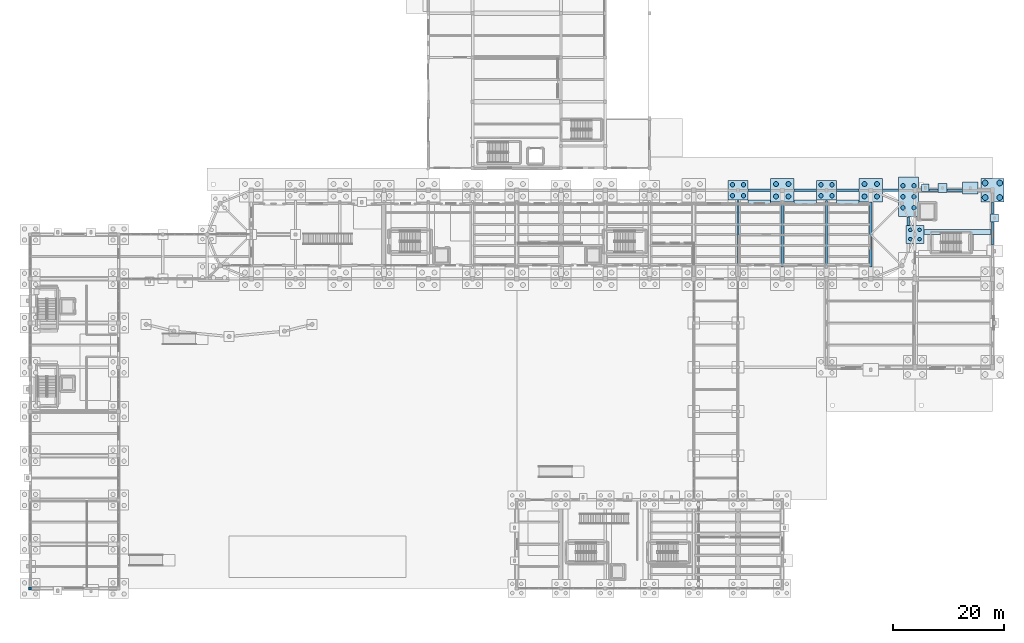
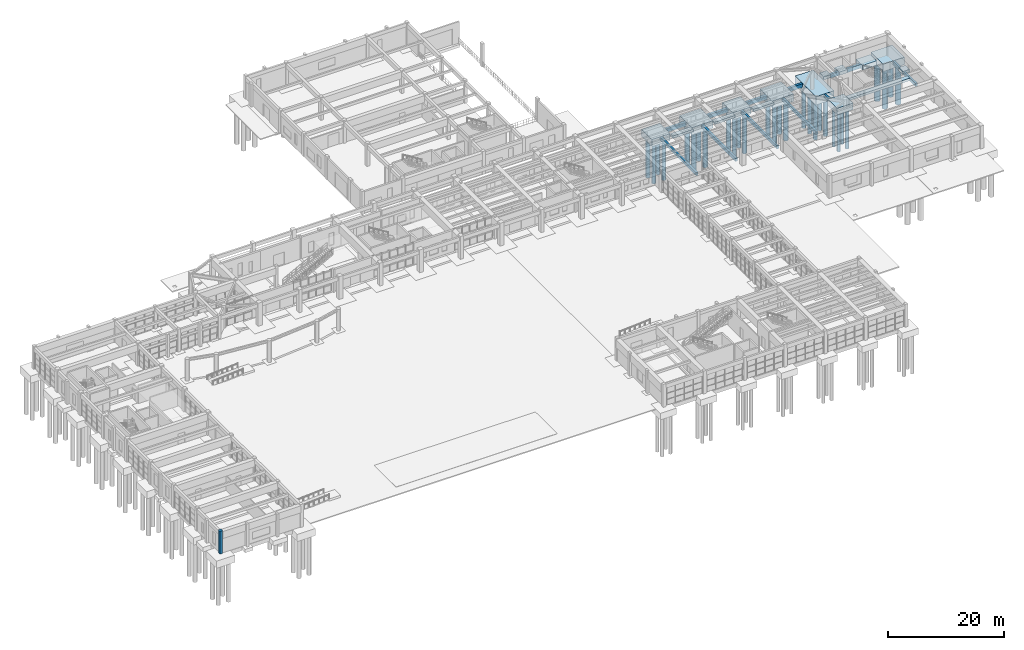
# One storey, part 6 of 68: 30 piles, 28 footings, 1 column.
"""IFC4 building model written with IfcOpenShell, lengths in metres."""

from ifc_helpers import new_model, si_unit, direction, frame, origin, origin_with_axes, origin_2d, place, context, subcontext, project, spatial, polyline, rectangle, circle, outline, extrude, material, material_profile, profile_set, type_object, element, save


model = new_model("IFC4")

# Units and contexts
model_context = context("Model", 3, precision=1e-05, world=origin(), true_north=direction((0.0, 1.0)))
body_context = subcontext(model_context, "Body", "Model", "MODEL_VIEW")
ifc_project = project(units=[si_unit("LENGTHUNIT", "METRE"), si_unit("AREAUNIT", "SQUARE_METRE"), si_unit("VOLUMEUNIT", "CUBIC_METRE"), si_unit("PLANEANGLEUNIT", "RADIAN"), si_unit("MASSUNIT", "GRAM", prefix="KILO")], contexts=[model_context])

# Site, building, storey
site_placement = place(None, origin())
site = spatial("IfcSite", under=ifc_project, at=site_placement, CompositionType="ELEMENT")
building_placement = place(site_placement, origin())
building = spatial("IfcBuilding", under=site, at=building_placement, Name="Serraluz Foothill Cableway Terminal", CompositionType="ELEMENT")
storey_placement = place(building_placement, origin())
storey = spatial("IfcBuildingStorey", under=building, at=storey_placement, Name="L00", CompositionType="ELEMENT", Elevation=0.0)

# Footings
ifc_material_1 = material(Name="Concrete C35/45 (f'c 35 MPa)", Category="concrete")
ifc_material_profile_1 = material_profile(ifc_material_1, rectangle(XDim=0.39990234375, YDim=0.64990234375, at=origin_2d()), Name="RC 400x650")
ifc_profile_set_1 = profile_set([ifc_material_profile_1], Name="Concrete C35/45 (f'c 35 MPa)")
footing_type_1 = type_object("IfcFootingType", Name="TYP-FB-400X650", PredefinedType="FOOTING_BEAM", material=ifc_profile_set_1)
footing_1_placement = place(storey_placement, frame((128.0, 57.823974609375, -0.324951171875), z_axis=(0.0, 1.0, 0.0), x_axis=(-1.0, 0.0, 0.0)))
element("IfcFooting", 1, at=footing_1_placement, inside=storey, type_object=footing_type_1, Name="Seismic Tie Footing Beam FB-164", PredefinedType="FOOTING_BEAM", context=body_context, shape_type="SweptSolid", body=[
    extrude(rectangle(XDim=0.39990234375, YDim=0.64990234375, at=origin_2d()), origin(), (0.0, 0.0, 1.0), 12.35205078125),
])
footing_2_placement = place(storey_placement, frame((136.0, 58.1240234375, -0.324951171875), z_axis=(0.0, 1.0, 0.0), x_axis=(-1.0, 0.0, 0.0)))
element("IfcFooting", 2, at=footing_2_placement, inside=storey, type_object=footing_type_1, Name="Seismic Tie Footing Beam FB-168", PredefinedType="FOOTING_BEAM", context=body_context, shape_type="SweptSolid", body=[
    extrude(rectangle(XDim=0.39990234375, YDim=0.64990234375, at=origin_2d()), origin(), (0.0, 0.0, 1.0), 11.751953125),
])
footing_3_placement = place(storey_placement, frame((144.0, 57.823974609375, -0.324951171875), z_axis=(0.0, 1.0, 0.0), x_axis=(-1.0, 0.0, 0.0)))
element("IfcFooting", 3, at=footing_3_placement, inside=storey, type_object=footing_type_1, Name="Seismic Tie Footing Beam FB-170", PredefinedType="FOOTING_BEAM", context=body_context, shape_type="SweptSolid", body=[
    extrude(rectangle(XDim=0.39990234375, YDim=0.64990234375, at=origin_2d()), origin(), (0.0, 0.0, 1.0), 12.35205078125),
])
footing_4_placement = place(storey_placement, frame((152.0, 58.1240234375, -0.324951171875), z_axis=(0.0, 1.0, 0.0), x_axis=(-1.0, 0.0, 0.0)))
element("IfcFooting", 4, at=footing_4_placement, inside=storey, type_object=footing_type_1, Name="Seismic Tie Footing Beam FB-171", PredefinedType="FOOTING_BEAM", context=body_context, shape_type="SweptSolid", body=[
    extrude(rectangle(XDim=0.39990234375, YDim=0.64990234375, at=origin_2d()), origin(), (0.0, 0.0, 1.0), 11.751953125),
])
footing_5_placement = place(storey_placement, frame((158.800048828125, 65.6240234375, -0.324951171875), z_axis=(0.0, 1.0, 0.0), x_axis=(-1.0, 0.0, 0.0)))
element("IfcFooting", 5, at=footing_5_placement, inside=storey, type_object=footing_type_1, Name="Seismic Tie Footing Beam FB-173", PredefinedType="FOOTING_BEAM", context=body_context, shape_type="SweptSolid", body=[
    extrude(rectangle(XDim=0.39990234375, YDim=0.64990234375, at=origin_2d()), origin(), (0.0, 0.0, 1.0), 1.58056640625),
])
footing_6_placement = place(storey_placement, frame((174.0, 62.1240234375, -0.324951171875), z_axis=(0.0, 1.0, 0.0), x_axis=(-1.0, 0.0, 0.0)))
element("IfcFooting", 6, at=footing_6_placement, inside=storey, type_object=footing_type_1, Name="Seismic Tie Footing Beam FB-177", PredefinedType="FOOTING_BEAM", context=body_context, shape_type="SweptSolid", body=[
    extrude(rectangle(XDim=0.39990234375, YDim=0.64990234375, at=origin_2d()), origin(), (0.0, 0.0, 1.0), 4.15185546875),
])
footing_7_placement = place(storey_placement, frame((174.0, 67.72412109375, -0.324951171875), z_axis=(0.0, 1.0, 0.0), x_axis=(-1.0, 0.0, 0.0)))
element("IfcFooting", 7, at=footing_7_placement, inside=storey, type_object=footing_type_1, Name="Seismic Tie Footing Beam FB-178", PredefinedType="FOOTING_BEAM", context=body_context, shape_type="SweptSolid", body=[
    extrude(rectangle(XDim=0.39990234375, YDim=0.64990234375, at=origin_2d()), origin(), (0.0, 0.0, 1.0), 2.15185546875),
])
ifc_material_profile_2 = material_profile(ifc_material_1, rectangle(XDim=0.449951171875, YDim=0.800048828125, at=origin_2d()), Name="RC 450x800")
ifc_profile_set_2 = profile_set([ifc_material_profile_2], Name="Concrete C35/45 (f'c 35 MPa)")
footing_type_2 = type_object("IfcFootingType", Name="TYP-FB-450X700", PredefinedType="FOOTING_BEAM", material=ifc_profile_set_2)
for number, where, z_axis, x_axis, name in (
    (8, (129.823974609375, 72.0, -0.39990234375), (1.0, 0.0, 0.0), (0.0, 1.0, 0.0), "Seismic Tie Footing Beam FB-101"),
    (9, (138.1240234375, 72.0, -0.39990234375), (1.0, 0.0, 0.0), (0.0, 1.0, 0.0), "Seismic Tie Footing Beam FB-102"),
    (10, (145.823974609375, 72.0, -0.39990234375), (1.0, 0.0, 0.0), (0.0, 1.0, 0.0), "Seismic Tie Footing Beam FB-103"),
):
    element("IfcFooting", number, at=place(storey_placement, frame(where, z_axis=z_axis, x_axis=x_axis)), inside=storey, type_object=footing_type_2, Name=name, PredefinedType="FOOTING_BEAM", context=body_context, shape_type="SweptSolid", body=[
        extrude(rectangle(XDim=0.449951171875, YDim=0.800048828125, at=origin_2d()), origin(), (0.0, 0.0, 1.0), 4.052001953125),
    ])
footing_8_placement = place(storey_placement, frame((154.1240234375, 72.0, -0.39990234375), z_axis=(1.0, 0.0, 0.0), x_axis=(0.0, 1.0, 0.0)))
element("IfcFooting", 11, at=footing_8_placement, inside=storey, type_object=footing_type_2, Name="Seismic Tie Footing Beam FB-104", PredefinedType="FOOTING_BEAM", context=body_context, shape_type="SweptSolid", body=[
    extrude(rectangle(XDim=0.449951171875, YDim=0.800048828125, at=origin_2d()), origin(), (0.0, 0.0, 1.0), 2.88037109375),
])
footing_9_placement = place(storey_placement, frame((162.573974609375, 72.0, -0.39990234375), z_axis=(1.0, 0.0, 0.0), x_axis=(0.0, 1.0, 0.0)))
element("IfcFooting", 12, at=footing_9_placement, inside=storey, type_object=footing_type_2, Name="Seismic Tie Footing Beam FB-105", PredefinedType="FOOTING_BEAM", context=body_context, shape_type="SweptSolid", body=[
    extrude(rectangle(XDim=0.449951171875, YDim=0.800048828125, at=origin_2d()), origin(), (0.0, 0.0, 1.0), 1.60205078125),
])
footing_10_placement = place(storey_placement, frame((165.823974609375, 72.0, -0.39990234375), z_axis=(1.0, 0.0, 0.0), x_axis=(0.0, 1.0, 0.0)))
element("IfcFooting", 13, at=footing_10_placement, inside=storey, type_object=footing_type_2, Name="Seismic Tie Footing Beam FB-106", PredefinedType="FOOTING_BEAM", context=body_context, shape_type="SweptSolid", body=[
    extrude(rectangle(XDim=0.449951171875, YDim=0.800048828125, at=origin_2d()), origin(), (0.0, 0.0, 1.0), 2.751953125),
])
footing_type_3 = type_object("IfcFootingType", Name="TYP-PAD-1400X1400X650", PredefinedType="PAD_FOOTING", material=ifc_material_1)
for number, where, z_axis, x_axis, name in (
    (14, (174.39990234375, 67.0, -0.64990234375), (0.0, 0.0, 1.0), (1.0, 0.0, 0.0), "Pilaster Pad Footing 15"),
    (15, (161.85009765625, 72.43994140625, -0.64990234375), (0.0, 0.0, 1.0), (1.0, 0.0, 0.0), "Pilaster Pad Footing 33"),
):
    element("IfcFooting", number, at=place(storey_placement, frame(where, z_axis=z_axis, x_axis=x_axis)), inside=storey, type_object=footing_type_3, Name=name, PredefinedType="PAD_FOOTING", context=body_context, shape_type="SweptSolid", body=[
        extrude(rectangle(XDim=1.39990234375, YDim=1.39990234375, at=origin_2d()), origin(), (0.0, 0.0, 1.0), 0.64990234375),
    ])
footing_type_4 = type_object("IfcFootingType", Name="TYP-PAD-1600X1600X700", PredefinedType="PAD_FOOTING", material=ifc_material_1)
footing_11_placement = place(storey_placement, frame((165.0, 72.419921875, -0.7001953125), z_axis=(0.0, 0.0, 1.0), x_axis=(1.0, 0.0, 0.0)))
element("IfcFooting", 16, at=footing_11_placement, inside=storey, type_object=footing_type_4, Name="Pilaster Pad Footing 16", PredefinedType="PAD_FOOTING", context=body_context, shape_type="SweptSolid", body=[
    extrude(rectangle(XDim=1.60009765625, YDim=1.60009765625, at=origin_2d()), origin(), (0.0, 0.0, 1.0), 0.699951171875),
])
footing_type_5 = type_object("IfcFootingType", Name="TYP-PAD-2800X2200X950", PredefinedType="PAD_FOOTING", material=ifc_material_1)
footing_12_placement = place(storey_placement, frame((170.0, 72.419921875, -0.9501953125), z_axis=(0.0, 0.0, 1.0), x_axis=(1.0, 0.0, 0.0)))
element("IfcFooting", 17, at=footing_12_placement, inside=storey, type_object=footing_type_5, Name="Pilaster Pad Footing 17", PredefinedType="PAD_FOOTING", context=body_context, shape_type="SweptSolid", body=[
    extrude(rectangle(XDim=2.800048828125, YDim=2.199951171875, at=origin_2d()), origin(), (0.0, 0.0, 1.0), 0.949951171875),
])
footing_type_6 = type_object("IfcFootingType", Name="TYP-PC-3200X3200X1350", PredefinedType="PILE_CAP", material=ifc_material_1)
footing_13_placement = place(storey_placement, frame((0.0, 0.0, -1.35009765625)))
element("IfcFooting", 18, at=footing_13_placement, inside=storey, type_object=footing_type_6, Name="Pile Cap FTG-PC-L00-035", PredefinedType="PILE_CAP", context=body_context, shape_type="SweptSolid", body=[
    extrude(outline(polyline([(158.39990234375, 62.39990234375), (161.60009765625, 62.39990234375), (161.60009765625, 65.60009765625), (158.39990234375, 65.60009765625), (158.39990234375, 62.39990234375)])), origin(), (0.0, 0.0, 1.0), 1.35009765625),
])
footing_type_7 = type_object("IfcFootingType", Name="TYP-PC-3600X3600X1500", PredefinedType="PILE_CAP", material=ifc_material_1)
footing_14_placement = place(storey_placement, frame((0.0, 0.0, -1.5)))
element("IfcFooting", 19, at=footing_14_placement, inside=storey, type_object=footing_type_7, Name="Pile Cap FTG-PC-L00-024", PredefinedType="PILE_CAP", context=body_context, shape_type="SweptSolid", body=[
    extrude(outline(polyline([(126.199951171875, 70.199951171875), (129.800048828125, 70.199951171875), (129.800048828125, 73.800048828125), (126.199951171875, 73.800048828125), (126.199951171875, 70.199951171875)])), origin(), (0.0, 0.0, 1.0), 1.5),
])
footing_15_placement = place(storey_placement, frame((0.0, 0.0, -1.5)))
element("IfcFooting", 20, at=footing_15_placement, inside=storey, type_object=footing_type_7, Name="Pile Cap FTG-PC-L00-028", PredefinedType="PILE_CAP", context=body_context, shape_type="SweptSolid", body=[
    extrude(outline(polyline([(142.199951171875, 70.199951171875), (145.800048828125, 70.199951171875), (145.800048828125, 73.800048828125), (142.199951171875, 73.800048828125), (142.199951171875, 70.199951171875)])), origin(), (0.0, 0.0, 1.0), 1.5),
])
footing_type_8 = type_object("IfcFootingType", Name="TYP-PC-3600X7200X1750", PredefinedType="PILE_CAP", material=ifc_material_1)
footing_16_placement = place(storey_placement, frame((0.0, 0.0, -1.75)))
element("IfcFooting", 21, at=footing_16_placement, inside=storey, type_object=footing_type_8, Name="Pile Cap FTG-PC-L00-036", PredefinedType="PILE_CAP", context=body_context, shape_type="SweptSolid", body=[
    extrude(outline(polyline([(157.0283203125, 67.228515625), (160.62841796875, 67.228515625), (160.62841796875, 74.428466796875), (157.0283203125, 74.428466796875), (157.0283203125, 67.228515625)])), origin(), (0.0, 0.0, 1.0), 1.75),
])
footing_type_9 = type_object("IfcFootingType", Name="TYP-PC-4200X4200X1550", PredefinedType="PILE_CAP", material=ifc_material_1)
footing_17_placement = place(storey_placement, frame((0.0, 0.0, -1.550048828125)))
element("IfcFooting", 22, at=footing_17_placement, inside=storey, type_object=footing_type_9, Name="Pile Cap FTG-PC-L00-026", PredefinedType="PILE_CAP", context=body_context, shape_type="SweptSolid", body=[
    extrude(outline(polyline([(133.89990234375, 69.89990234375), (138.10009765625, 69.89990234375), (138.10009765625, 74.10009765625), (133.89990234375, 74.10009765625), (133.89990234375, 69.89990234375)])), origin(), (0.0, 0.0, 1.0), 1.550048828125),
])
footing_18_placement = place(storey_placement, frame((0.0, 0.0, -1.550048828125)))
element("IfcFooting", 23, at=footing_18_placement, inside=storey, type_object=footing_type_9, Name="Pile Cap FTG-PC-L00-030", PredefinedType="PILE_CAP", context=body_context, shape_type="SweptSolid", body=[
    extrude(outline(polyline([(149.89990234375, 69.89990234375), (154.10009765625, 69.89990234375), (154.10009765625, 74.10009765625), (149.89990234375, 74.10009765625), (149.89990234375, 69.89990234375)])), origin(), (0.0, 0.0, 1.0), 1.550048828125),
])
footing_19_placement = place(storey_placement, frame((0.0, 0.0, -1.550048828125)))
element("IfcFooting", 24, at=footing_19_placement, inside=storey, type_object=footing_type_9, Name="Pile Cap FTG-PC-L00-041", PredefinedType="PILE_CAP", context=body_context, shape_type="SweptSolid", body=[
    extrude(outline(polyline([(171.89990234375, 69.89990234375), (176.10009765625, 69.89990234375), (176.10009765625, 74.10009765625), (171.89990234375, 74.10009765625), (171.89990234375, 69.89990234375)])), origin(), (0.0, 0.0, 1.0), 1.550048828125),
])

# Piles
ifc_material_2 = material(Name="Concrete C28/35 (f'c 28 MPa)", Category="concrete")
ifc_material_profile_3 = material_profile(ifc_material_2, circle(Radius=0.52490234375, at=origin_2d()), Name="BORED PILE D1050")
ifc_profile_set_3 = profile_set([ifc_material_profile_3], Name="Concrete C28/35 (f'c 28 MPa)")
pile_type_1 = type_object("IfcPileType", Name="TYP-PILE-D1050", PredefinedType="BORED", material=ifc_profile_set_3)
for number, where, z_axis, x_axis, name in (
    (25, (172.6875, 70.6875, -1.449951171875), (0.0, 0.0, -1.0), (1.0, 0.0, 0.0), "Bored Pile PIL-L00-041-01"),
    (26, (172.6875, 73.3125, -1.449951171875), (0.0, 0.0, -1.0), (1.0, 0.0, 0.0), "Bored Pile PIL-L00-041-02"),
    (27, (175.3125, 70.6875, -1.449951171875), (0.0, 0.0, -1.0), (1.0, 0.0, 0.0), "Bored Pile PIL-L00-041-03"),
    (28, (175.3125, 73.3125, -1.449951171875), (0.0, 0.0, -1.0), (1.0, 0.0, 0.0), "Bored Pile PIL-L00-041-04"),
):
    element("IfcPile", number, at=place(storey_placement, frame(where, z_axis=z_axis, x_axis=x_axis)), inside=storey, type_object=pile_type_1, Name=name, PredefinedType="BORED", context=body_context, shape_type="SweptSolid", body=[
        extrude(circle(Radius=0.52490234375, at=origin_2d()), origin(), (0.0, 0.0, 1.0), 8.39990234375),
    ])
ifc_material_profile_4 = material_profile(ifc_material_2, circle(Radius=0.324951171875, at=origin_2d()), Name="BORED PILE D650")
ifc_profile_set_4 = profile_set([ifc_material_profile_4], Name="Concrete C28/35 (f'c 28 MPa)")
pile_type_2 = type_object("IfcPileType", Name="TYP-PILE-D650", PredefinedType="BORED", material=ifc_profile_set_4)
for number, where, z_axis, x_axis, name in (
    (29, (159.175048828125, 63.175048828125, -1.25), (0.0, 0.0, -1.0), (1.0, 0.0, 0.0), "Bored Pile PIL-L00-035-01"),
    (30, (159.175048828125, 64.824951171875, -1.25), (0.0, 0.0, -1.0), (1.0, 0.0, 0.0), "Bored Pile PIL-L00-035-02"),
    (31, (160.824951171875, 63.175048828125, -1.25), (0.0, 0.0, -1.0), (1.0, 0.0, 0.0), "Bored Pile PIL-L00-035-03"),
    (32, (160.824951171875, 64.824951171875, -1.25), (0.0, 0.0, -1.0), (1.0, 0.0, 0.0), "Bored Pile PIL-L00-035-04"),
):
    element("IfcPile", number, at=place(storey_placement, frame(where, z_axis=z_axis, x_axis=x_axis)), inside=storey, type_object=pile_type_2, Name=name, PredefinedType="BORED", context=body_context, shape_type="SweptSolid", body=[
        extrude(circle(Radius=0.324951171875, at=origin_2d()), origin(), (0.0, 0.0, 1.0), 8.39990234375),
    ])
ifc_material_profile_5 = material_profile(ifc_material_2, circle(Radius=0.39990234375, at=origin_2d()), Name="BORED PILE D800")
ifc_profile_set_5 = profile_set([ifc_material_profile_5], Name="Concrete C28/35 (f'c 28 MPa)")
pile_type_3 = type_object("IfcPileType", Name="TYP-PILE-D800", PredefinedType="BORED", material=ifc_profile_set_5)
for number, where, z_axis, x_axis, name in (
    (33, (127.0, 71.0, -1.39990234375), (0.0, 0.0, -1.0), (1.0, 0.0, 0.0), "Bored Pile PIL-L00-024-01"),
    (34, (127.0, 73.0, -1.39990234375), (0.0, 0.0, -1.0), (1.0, 0.0, 0.0), "Bored Pile PIL-L00-024-02"),
    (35, (129.0, 71.0, -1.39990234375), (0.0, 0.0, -1.0), (1.0, 0.0, 0.0), "Bored Pile PIL-L00-024-03"),
    (36, (129.0, 73.0, -1.39990234375), (0.0, 0.0, -1.0), (1.0, 0.0, 0.0), "Bored Pile PIL-L00-024-04"),
    (37, (143.0, 71.0, -1.39990234375), (0.0, 0.0, -1.0), (1.0, 0.0, 0.0), "Bored Pile PIL-L00-028-01"),
    (38, (143.0, 73.0, -1.39990234375), (0.0, 0.0, -1.0), (1.0, 0.0, 0.0), "Bored Pile PIL-L00-028-02"),
    (39, (145.0, 71.0, -1.39990234375), (0.0, 0.0, -1.0), (1.0, 0.0, 0.0), "Bored Pile PIL-L00-028-03"),
    (40, (145.0, 73.0, -1.39990234375), (0.0, 0.0, -1.0), (1.0, 0.0, 0.0), "Bored Pile PIL-L00-028-04"),
    (41, (157.82861328125, 68.82861328125, -1.64990234375), (0.0, 0.0, -1.0), (1.0, 0.0, 0.0), "Bored Pile PIL-L00-036-01"),
    (42, (157.82861328125, 70.82861328125, -1.64990234375), (0.0, 0.0, -1.0), (1.0, 0.0, 0.0), "Bored Pile PIL-L00-036-02"),
    (43, (157.82861328125, 72.82861328125, -1.64990234375), (0.0, 0.0, -1.0), (1.0, 0.0, 0.0), "Bored Pile PIL-L00-036-03"),
    (44, (159.82861328125, 68.82861328125, -1.64990234375), (0.0, 0.0, -1.0), (1.0, 0.0, 0.0), "Bored Pile PIL-L00-036-04"),
    (45, (159.82861328125, 70.82861328125, -1.64990234375), (0.0, 0.0, -1.0), (1.0, 0.0, 0.0), "Bored Pile PIL-L00-036-05"),
    (46, (159.82861328125, 72.82861328125, -1.64990234375), (0.0, 0.0, -1.0), (1.0, 0.0, 0.0), "Bored Pile PIL-L00-036-06"),
):
    element("IfcPile", number, at=place(storey_placement, frame(where, z_axis=z_axis, x_axis=x_axis)), inside=storey, type_object=pile_type_3, Name=name, PredefinedType="BORED", context=body_context, shape_type="SweptSolid", body=[
        extrude(circle(Radius=0.39990234375, at=origin_2d()), origin(), (0.0, 0.0, 1.0), 8.39990234375),
    ])
ifc_material_profile_6 = material_profile(ifc_material_2, circle(Radius=0.449951171875, at=origin_2d()), Name="BORED PILE D900")
ifc_profile_set_6 = profile_set([ifc_material_profile_6], Name="Concrete C28/35 (f'c 28 MPa)")
pile_type_4 = type_object("IfcPileType", Name="TYP-PILE-D900", PredefinedType="BORED", material=ifc_profile_set_6)
for number, where, z_axis, x_axis, name in (
    (47, (134.875, 70.875, -1.449951171875), (0.0, 0.0, -1.0), (1.0, 0.0, 0.0), "Bored Pile PIL-L00-026-01"),
    (48, (134.875, 73.125, -1.449951171875), (0.0, 0.0, -1.0), (1.0, 0.0, 0.0), "Bored Pile PIL-L00-026-02"),
    (49, (137.125, 70.875, -1.449951171875), (0.0, 0.0, -1.0), (1.0, 0.0, 0.0), "Bored Pile PIL-L00-026-03"),
    (50, (137.125, 73.125, -1.449951171875), (0.0, 0.0, -1.0), (1.0, 0.0, 0.0), "Bored Pile PIL-L00-026-04"),
    (51, (150.875, 70.875, -1.449951171875), (0.0, 0.0, -1.0), (1.0, 0.0, 0.0), "Bored Pile PIL-L00-030-01"),
    (52, (150.875, 73.125, -1.449951171875), (0.0, 0.0, -1.0), (1.0, 0.0, 0.0), "Bored Pile PIL-L00-030-02"),
    (53, (153.125, 70.875, -1.449951171875), (0.0, 0.0, -1.0), (1.0, 0.0, 0.0), "Bored Pile PIL-L00-030-03"),
    (54, (153.125, 73.125, -1.449951171875), (0.0, 0.0, -1.0), (1.0, 0.0, 0.0), "Bored Pile PIL-L00-030-04"),
):
    element("IfcPile", number, at=place(storey_placement, frame(where, z_axis=z_axis, x_axis=x_axis)), inside=storey, type_object=pile_type_4, Name=name, PredefinedType="BORED", context=body_context, shape_type="SweptSolid", body=[
        extrude(circle(Radius=0.449951171875, at=origin_2d()), origin(), (0.0, 0.0, 1.0), 8.39990234375),
    ])

# Footings
ifc_material_profile_7 = material_profile(ifc_material_1, rectangle(XDim=0.89990234375, YDim=0.5, at=origin_2d()), Name="SF 900x500")
ifc_profile_set_7 = profile_set([ifc_material_profile_7], Name="Concrete C35/45 (f'c 35 MPa)")
footing_type_10 = type_object("IfcFootingType", Name="TYP-SF-900X500", PredefinedType="STRIP_FOOTING", material=ifc_profile_set_7)
for number, where, z_axis, x_axis, name in (
    (55, (129.823974609375, 69.75, -0.25), (1.0, 0.0, 0.0), (0.0, 1.0, 0.0), "Continuous Strip Footing SF-V1-RECN-13"),
    (56, (138.1240234375, 69.75, -0.25), (1.0, 0.0, 0.0), (0.0, 1.0, 0.0), "Continuous Strip Footing SF-V1-RECN-14"),
    (57, (145.823974609375, 69.75, -0.25), (1.0, 0.0, 0.0), (0.0, 1.0, 0.0), "Continuous Strip Footing SF-V1-RECN-15"),
):
    element("IfcFooting", number, at=place(storey_placement, frame(where, z_axis=z_axis, x_axis=x_axis)), inside=storey, type_object=footing_type_10, Name=name, PredefinedType="STRIP_FOOTING", context=body_context, shape_type="SweptSolid", body=[
        extrude(rectangle(XDim=0.89990234375, YDim=0.5, at=origin_2d()), origin(), (0.0, 0.0, 1.0), 4.052001953125),
    ])
footing_20_placement = place(storey_placement, frame((161.6240234375, 64.429931640625, -0.25), z_axis=(1.0, 0.0, 0.0), x_axis=(0.0, 1.0, 0.0)))
element("IfcFooting", 58, at=footing_20_placement, inside=storey, type_object=footing_type_10, Name="Continuous Strip Footing SF-CORE-5-N", PredefinedType="STRIP_FOOTING", context=body_context, shape_type="SweptSolid", body=[
    extrude(rectangle(XDim=0.89990234375, YDim=0.5, at=origin_2d()), origin(), (0.0, 0.0, 1.0), 12.15185546875),
])

# Column
ifc_material_profile_8 = material_profile(ifc_material_1, rectangle(XDim=0.550048828125, YDim=0.550048828125, at=origin_2d()), Name="RC 550x550")
ifc_profile_set_8 = profile_set([ifc_material_profile_8], Name="Concrete C35/45 (f'c 35 MPa)")
column_type = type_object("IfcColumnType", Name="TYP-COL-RC550", PredefinedType="COLUMN", material=ifc_profile_set_8)
column_placement = place(storey_placement, origin_with_axes())
element("IfcColumn", 59, at=column_placement, inside=storey, type_object=column_type, Name="Column COL-V5-0-0-L00", PredefinedType="COLUMN", context=body_context, shape_type="SweptSolid", body=[
    extrude(rectangle(XDim=0.550048828125, YDim=0.550048828125, at=origin_2d()), origin(), (0.0, 0.0, 1.0), 4.800048828125),
])

save(model, "model.ifc")
